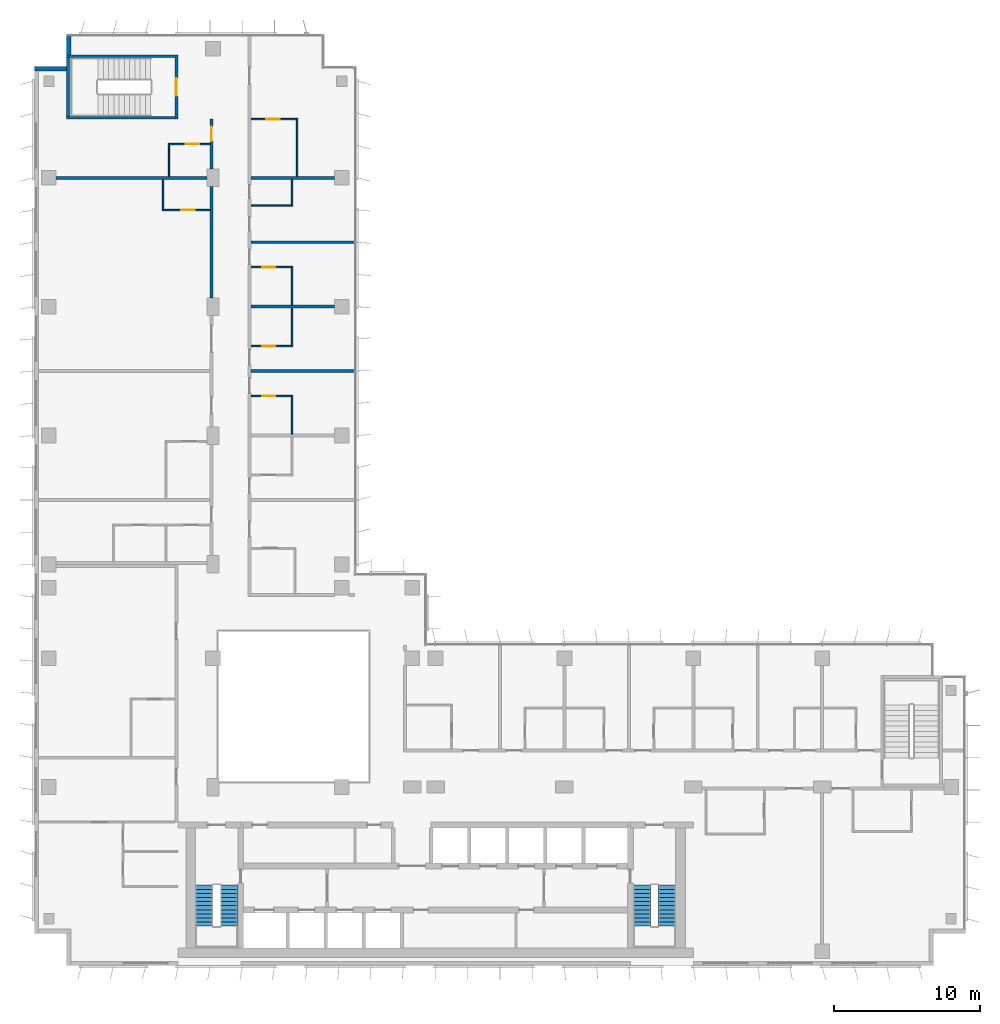
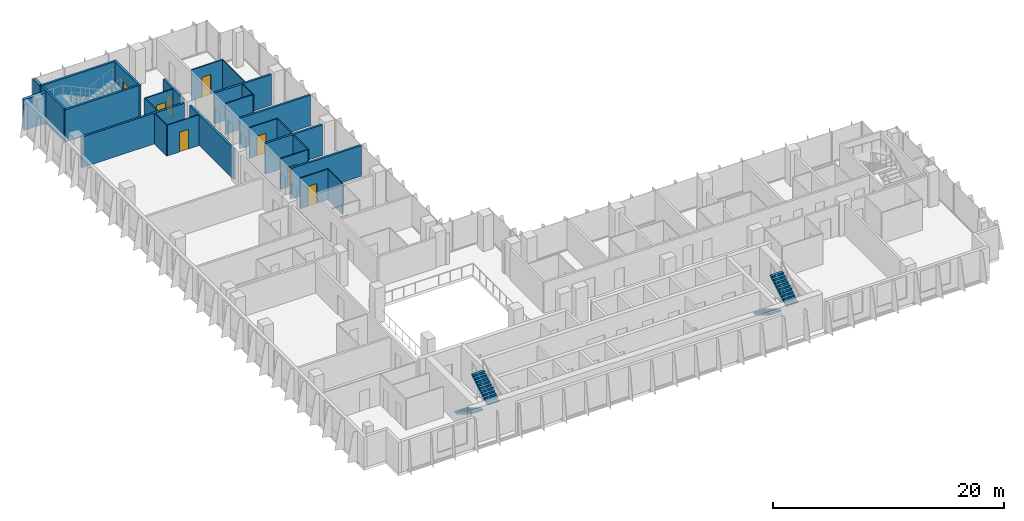
# One storey, part 17 of 21: 27 walls, 8 doors, 4 stair flights, 8 openings, 2 elements without a shape of their own.
"""IFC4 building model written with IfcOpenShell, lengths in metres."""

from ifc_helpers import new_model, si_unit, direction, frame, frame_2d, origin, place, context, subcontext, project, spatial, polyline, rectangle, outline, extrude, material, layer, layer_set, type_object, element, fill, aggregate, save


model = new_model("IFC4")

# Units and contexts
model_context = context("Model", 3, precision=1e-05, world=origin(), true_north=direction((0.0, 1.0)))
body_context = subcontext(model_context, "Body", "Model", "MODEL_VIEW")
ifc_project = project(units=[si_unit("LENGTHUNIT", "METRE"), si_unit("AREAUNIT", "SQUARE_METRE"), si_unit("VOLUMEUNIT", "CUBIC_METRE"), si_unit("PLANEANGLEUNIT", "RADIAN"), si_unit("MASSUNIT", "GRAM", prefix="KILO")], contexts=[model_context])

# Site, building, storey
site_placement = place(None, origin())
site = spatial("IfcSite", under=ifc_project, at=site_placement, CompositionType="ELEMENT")
building_placement = place(site_placement, origin())
building = spatial("IfcBuilding", under=site, at=building_placement, Name="Kemantara Hotel Tower", CompositionType="ELEMENT")
storey_placement = place(building_placement, frame((0.0, 0.0, 219.10009765625)))
storey = spatial("IfcBuildingStorey", under=building, at=storey_placement, Name="L54", CompositionType="ELEMENT", Elevation=219.10009765625)

# Walls
ifc_material_1 = material(Name="Bronze anodised aluminium cladding on insulated steel stud wall", Category="steel")
ifc_layer_1 = layer(ifc_material_1, 0.300048828125)
ifc_layer_set_1 = layer_set([ifc_layer_1], Name="Bronze anodised aluminium cladding on insulated steel stud wall")
wall_type_1 = type_object("IfcWallType", Name="BRONZE METAL-CLAD EXTERNAL WALL 300", PredefinedType="STANDARD", material=ifc_layer_set_1)
wall_1_placement = place(storey_placement, frame((2.35009765625, 63.449951171875, 0.0), z_axis=(0.0, 0.0, 1.0), x_axis=(0.0, -1.0, 0.0)))
element("IfcWall", 1, at=wall_1_placement, inside=storey, type_object=wall_type_1, Name="EXTERNAL WALL L54 T3-R03", PredefinedType="STANDARD", context=body_context, shape_type="SweptSolid", body=[
    extrude(rectangle(XDim=1.25, YDim=0.300048828125, at=frame_2d((0.625, 0.0))), origin(), (0.0, 0.0, 1.0), 3.25),
])
wall_2_placement = place(storey_placement, frame((2.199951171875, 61.25, 0.0), z_axis=(0.0, 0.0, 1.0), x_axis=(-1.0, 0.0, 0.0)))
element("IfcWall", 2, at=wall_2_placement, inside=storey, type_object=wall_type_1, Name="EXTERNAL WALL L54 T3-R04", PredefinedType="STANDARD", context=body_context, shape_type="SweptSolid", body=[
    extrude(rectangle(XDim=2.199951171875, YDim=0.300048828125, at=frame_2d((1.10009765625, 0.0))), origin(), (0.0, 0.0, 1.0), 3.25),
])
ifc_material_2 = material(Name="Gypsum board partition, steel studs and mineral wool, 200 mm", Category="steel")
ifc_layer_2 = layer(ifc_material_2, 0.199951171875)
ifc_layer_set_2 = layer_set([ifc_layer_2], Name="Gypsum board partition, steel studs and mineral wool, 200 mm")
wall_type_2 = type_object("IfcWallType", Name="CORRIDOR WALL 200", PredefinedType="PARTITIONING", material=ifc_layer_set_2)
wall_3_placement = place(storey_placement, frame((12.10009765625, 45.60009765625, 0.0), z_axis=(0.0, 0.0, 1.0), x_axis=(0.0, 1.0, 0.0)))
element("IfcWall", 3, at=wall_3_placement, inside=storey, type_object=wall_type_2, Name="CORRIDOR WALL 200 019", PredefinedType="PARTITIONING", context=body_context, shape_type="SweptSolid", body=[
    extrude(rectangle(XDim=7.599853515625, YDim=0.199951171875, at=frame_2d((3.7998046875, 0.0))), origin(), (0.0, 0.0, 1.0), 3.25),
])

# Wall, opening, door
wall_4_placement = place(storey_placement, frame((12.10009765625, 54.400146484375, 0.0), z_axis=(0.0, 0.0, 1.0), x_axis=(0.0, 1.0, 0.0)))
wall_4 = element("IfcWall", 4, at=wall_4_placement, inside=storey, type_object=wall_type_2, Name="CORRIDOR WALL 200 020", PredefinedType="PARTITIONING", context=body_context, shape_type="SweptSolid", body=[
    extrude(rectangle(XDim=3.39990234375, YDim=0.199951171875, at=frame_2d((1.699951171875, 0.0))), origin(), (0.0, 0.0, 1.0), 3.25),
])
opening_1_placement = place(wall_4_placement, frame((1.89990234375, 0.0, 0.0)))
opening_1 = element("IfcOpeningElement", 5, at=opening_1_placement, cuts=wall_4, Name="Opening F26-032", PredefinedType="OPENING", context=body_context, shape_type="SweptSolid", body=[
    extrude(rectangle(XDim=1.0, YDim=2.10009765625, at=frame_2d((0.5, 1.050048828125))), frame((0.0, 0.10986328125, 0.0), z_axis=(0.0, -1.0, 0.0), x_axis=(1.0, 0.0, 0.0)), (0.0, 0.0, 1.0), 0.219970703125),
])
ifc_material_3 = material(Name="Hardwood veneer door leaf with steel frame", Category="steel")
door_type_1 = type_object("IfcDoorType", Name="GUEST ROOM DOOR 1000 X 2100 FD30S", OperationType="NOTDEFINED", PredefinedType="DOOR", material=ifc_material_3)
door_1_placement = place(opening_1_placement, origin())
door_1 = element("IfcDoor", 6, at=door_1_placement, inside=storey, type_object=door_type_1, Name="GUEST ROOM DOOR F26-032", OperationType="SINGLE_SWING_RIGHT", OverallHeight=2.10009765625, OverallWidth=1.0, PredefinedType="DOOR", context=body_context, shape_type="SweptSolid", body=[
    extrude(rectangle(XDim=1.0, YDim=2.10009765625, at=frame_2d((0.5, 1.050048828125))), frame((0.0, 0.02490234375, 0.0), z_axis=(0.0, -1.0, 0.0), x_axis=(1.0, 0.0, 0.0)), (0.0, 0.0, 1.0), 0.050048828125),
])
fill(opening_1, door_1)

ifc_material_4 = material(Name="Concrete fc 40 MPa", Category="concrete")
ifc_layer_3 = layer(ifc_material_4, 0.199951171875)
ifc_layer_set_3 = layer_set([ifc_layer_3], Name="Concrete fc 40 MPa")
wall_type_3 = type_object("IfcWallType", Name="Concrete stair wall 200 mm", PredefinedType="SHEAR", material=ifc_layer_set_3)
wall_5_placement = place(storey_placement, frame((9.699951171875, 57.800048828125, 0.0), z_axis=(0.0, 0.0, 1.0), x_axis=(0.0, 1.0, 0.0)))
wall_5 = element("IfcWall", 7, at=wall_5_placement, inside=storey, type_object=wall_type_3, Name="Stair ST4 enclosure wall with door", PredefinedType="SHEAR", context=body_context, shape_type="SweptSolid", body=[
    extrude(rectangle(XDim=4.39990234375, YDim=0.199951171875, at=frame_2d((2.199951171875, 0.0))), origin(), (0.0, 0.0, 1.0), 3.39990234375),
])
opening_2_placement = place(wall_5_placement, frame((1.60009765625, 0.0, 0.0)))
opening_2 = element("IfcOpeningElement", 8, at=opening_2_placement, cuts=wall_5, Name="Opening ST4-C", PredefinedType="OPENING", context=body_context, shape_type="SweptSolid", body=[
    extrude(rectangle(XDim=1.199951171875, YDim=2.10009765625, at=frame_2d((0.60009765625, 1.050048828125))), frame((0.0, 0.10986328125, 0.0), z_axis=(0.0, -1.0, 0.0), x_axis=(1.0, 0.0, 0.0)), (0.0, 0.0, 1.0), 0.219970703125),
])
ifc_material_5 = material(Name="Steel fire door", Category="steel")
door_type_2 = type_object("IfcDoorType", Name="Fire door FD90 1200 x 2100", OperationType="NOTDEFINED", PredefinedType="DOOR", material=ifc_material_5)
door_2_placement = place(opening_2_placement, origin())
door_2 = element("IfcDoor", 9, at=door_2_placement, inside=storey, type_object=door_type_2, Name="Stair ST4 door", OperationType="SINGLE_SWING_RIGHT", OverallHeight=2.10009765625, OverallWidth=1.199951171875, PredefinedType="DOOR", context=body_context, shape_type="SweptSolid", body=[
    extrude(rectangle(XDim=1.199951171875, YDim=2.10009765625, at=frame_2d((0.60009765625, 1.050048828125))), frame((0.0, 0.02490234375, 0.0), z_axis=(0.0, -1.0, 0.0), x_axis=(1.0, 0.0, 0.0)), (0.0, 0.0, 1.0), 0.050048828125),
])
fill(opening_2, door_2)

# Walls
for number, where, z_axis, x_axis, name in (
    (10, (2.199951171875, 62.10009765625, 0.0), (0.0, 0.0, 1.0), (1.0, 0.0, 0.0), "Stair ST4 enclosure wall N"),
    (11, (2.199951171875, 57.89990234375, 0.0), (0.0, 0.0, 1.0), (1.0, 0.0, 0.0), "Stair ST4 enclosure wall S"),
):
    element("IfcWall", number, at=place(storey_placement, frame(where, z_axis=z_axis, x_axis=x_axis)), inside=storey, type_object=wall_type_3, Name=name, PredefinedType="SHEAR", context=body_context, shape_type="SweptSolid", body=[
        extrude(rectangle(XDim=7.400146484375, YDim=0.199951171875, at=frame_2d((3.7001953125, 0.0))), origin(), (0.0, 0.0, 1.0), 3.39990234375),
    ])
wall_6_placement = place(storey_placement, frame((2.300048828125, 58.0, 0.0), z_axis=(0.0, 0.0, 1.0), x_axis=(0.0, 1.0, 0.0)))
element("IfcWall", 12, at=wall_6_placement, inside=storey, type_object=wall_type_3, Name="Stair ST4 enclosure wall W", PredefinedType="SHEAR", context=body_context, shape_type="SweptSolid", body=[
    extrude(rectangle(XDim=4.0, YDim=0.199951171875, at=frame_2d((2.0, 0.0))), origin(), (0.0, 0.0, 1.0), 3.39990234375),
])
ifc_layer_4 = layer(ifc_material_2, 0.199951171875)
ifc_layer_set_4 = layer_set([ifc_layer_4], Name="Gypsum board partition, steel studs and mineral wool, 200 mm")
wall_type_4 = type_object("IfcWallType", Name="GUEST ROOM PARTY WALL 200", PredefinedType="PARTITIONING", material=ifc_layer_set_4)
wall_7_placement = place(storey_placement, frame((14.800048828125, 40.60009765625, 0.0), z_axis=(0.0, 0.0, 1.0), x_axis=(1.0, 0.0, 0.0)))
element("IfcWall", 13, at=wall_7_placement, inside=storey, type_object=wall_type_4, Name="GUEST ROOM PARTY WALL 200 025", PredefinedType="PARTITIONING", context=body_context, shape_type="SweptSolid", body=[
    extrude(rectangle(XDim=7.070068359375, YDim=0.199951171875, at=frame_2d((3.53515625, 0.0))), origin(), (0.0, 0.0, 1.0), 3.25),
])
wall_8_placement = place(storey_placement, frame((1.5, 53.800048828125, 0.0), z_axis=(0.0, 0.0, 1.0), x_axis=(1.0, 0.0, 0.0)))
element("IfcWall", 14, at=wall_8_placement, inside=storey, type_object=wall_type_4, Name="GUEST ROOM PARTY WALL 200 026", PredefinedType="PARTITIONING", context=body_context, shape_type="SweptSolid", body=[
    extrude(rectangle(XDim=10.2998046875, YDim=0.199951171875, at=frame_2d((5.14990234375, 0.0))), origin(), (0.0, 0.0, 1.0), 3.25),
])
for number, where, z_axis, x_axis, name in (
    (15, (14.800048828125, 53.800048828125, 0.0), (0.0, 0.0, 1.0), (1.0, 0.0, 0.0), "GUEST ROOM PARTY WALL 200 027"),
    (16, (14.800048828125, 45.0, 0.0), (0.0, 0.0, 1.0), (1.0, 0.0, 0.0), "GUEST ROOM PARTY WALL 200 032"),
):
    element("IfcWall", number, at=place(storey_placement, frame(where, z_axis=z_axis, x_axis=x_axis)), inside=storey, type_object=wall_type_4, Name=name, PredefinedType="PARTITIONING", context=body_context, shape_type="SweptSolid", body=[
        extrude(rectangle(XDim=5.699951171875, YDim=0.199951171875, at=frame_2d((2.85009765625, 0.0))), origin(), (0.0, 0.0, 1.0), 3.25),
    ])
wall_9_placement = place(storey_placement, frame((14.800048828125, 49.39990234375, 0.0), z_axis=(0.0, 0.0, 1.0), x_axis=(1.0, 0.0, 0.0)))
element("IfcWall", 17, at=wall_9_placement, inside=storey, type_object=wall_type_4, Name="GUEST ROOM PARTY WALL 200 033", PredefinedType="PARTITIONING", context=body_context, shape_type="SweptSolid", body=[
    extrude(rectangle(XDim=7.070068359375, YDim=0.199951171875, at=frame_2d((3.53515625, 0.0))), origin(), (0.0, 0.0, 1.0), 3.25),
])
ifc_material_6 = material(Name="Gypsum board partition on steel studs, 100 mm", Category="steel")
ifc_layer_5 = layer(ifc_material_6, 0.10009765625)
ifc_layer_set_5 = layer_set([ifc_layer_5], Name="Gypsum board partition on steel studs, 100 mm")
wall_type_5 = type_object("IfcWallType", Name="ROOM PARTITION 100", PredefinedType="PARTITIONING", material=ifc_layer_set_5)
wall_10_placement = place(storey_placement, frame((8.800048828125, 51.550048828125, 0.0), z_axis=(0.0, 0.0, 1.0), x_axis=(0.0, 1.0, 0.0)))
element("IfcWall", 18, at=wall_10_placement, inside=storey, type_object=wall_type_5, Name="ROOM PARTITION 100 065", PredefinedType="PARTITIONING", context=body_context, shape_type="SweptSolid", body=[
    extrude(rectangle(XDim=2.14990234375, YDim=0.10009765625, at=frame_2d((1.074951171875, 0.0))), origin(), (0.0, 0.0, 1.0), 3.25),
])

# Wall, opening, door
wall_11_placement = place(storey_placement, frame((8.85009765625, 51.60009765625, 0.0), z_axis=(0.0, 0.0, 1.0), x_axis=(1.0, 0.0, 0.0)))
wall_11 = element("IfcWall", 19, at=wall_11_placement, inside=storey, type_object=wall_type_5, Name="ROOM PARTITION 100 066", PredefinedType="PARTITIONING", context=body_context, shape_type="SweptSolid", body=[
    extrude(rectangle(XDim=3.14990234375, YDim=0.10009765625, at=frame_2d((1.574951171875, 0.0))), origin(), (0.0, 0.0, 1.0), 3.25),
])
opening_3_placement = place(wall_11_placement, frame((1.199951171875, 0.0, 0.0)))
opening_3 = element("IfcOpeningElement", 20, at=opening_3_placement, cuts=wall_11, Name="Opening F26-031", PredefinedType="OPENING", context=body_context, shape_type="SweptSolid", body=[
    extrude(rectangle(XDim=0.89990234375, YDim=2.10009765625, at=frame_2d((0.449951171875, 1.050048828125))), frame((0.0, 0.06005859375, 0.0), z_axis=(0.0, -1.0, 0.0), x_axis=(1.0, 0.0, 0.0)), (0.0, 0.0, 1.0), 0.1201171875),
])
door_type_3 = type_object("IfcDoorType", Name="PANTRY DOOR 900 X 2100", OperationType="NOTDEFINED", PredefinedType="DOOR", material=ifc_material_3)
door_3_placement = place(opening_3_placement, origin())
door_3 = element("IfcDoor", 21, at=door_3_placement, inside=storey, type_object=door_type_3, Name="PANTRY DOOR F26-031", OperationType="SINGLE_SWING_RIGHT", OverallHeight=2.10009765625, OverallWidth=0.89990234375, PredefinedType="DOOR", context=body_context, shape_type="SweptSolid", body=[
    extrude(rectangle(XDim=0.89990234375, YDim=2.10009765625, at=frame_2d((0.449951171875, 1.050048828125))), frame((0.0, 0.02490234375, 0.0), z_axis=(0.0, -1.0, 0.0), x_axis=(1.0, 0.0, 0.0)), (0.0, 0.0, 1.0), 0.050048828125),
])
fill(opening_3, door_3)

# Wall
wall_12_placement = place(storey_placement, frame((9.199951171875, 53.89990234375, 0.0), z_axis=(0.0, 0.0, 1.0), x_axis=(0.0, 1.0, 0.0)))
element("IfcWall", 22, at=wall_12_placement, inside=storey, type_object=wall_type_5, Name="ROOM PARTITION 100 067", PredefinedType="PARTITIONING", context=body_context, shape_type="SweptSolid", body=[
    extrude(rectangle(XDim=2.25, YDim=0.10009765625, at=frame_2d((1.125, 0.0))), origin(), (0.0, 0.0, 1.0), 3.25),
])

# Wall, opening, door
wall_13_placement = place(storey_placement, frame((12.0, 56.10009765625, 0.0), z_axis=(0.0, 0.0, 1.0), x_axis=(-1.0, 0.0, 0.0)))
wall_13 = element("IfcWall", 23, at=wall_13_placement, inside=storey, type_object=wall_type_5, Name="ROOM PARTITION 100 068", PredefinedType="PARTITIONING", context=body_context, shape_type="SweptSolid", body=[
    extrude(rectangle(XDim=2.75, YDim=0.10009765625, at=frame_2d((1.375, 0.0))), origin(), (0.0, 0.0, 1.0), 3.25),
])
opening_4_placement = place(wall_13_placement, frame((0.75, 0.0, 0.0)))
opening_4 = element("IfcOpeningElement", 24, at=opening_4_placement, cuts=wall_13, Name="Opening F26-033", PredefinedType="OPENING", context=body_context, shape_type="SweptSolid", body=[
    extrude(rectangle(XDim=0.89990234375, YDim=2.10009765625, at=frame_2d((0.449951171875, 1.050048828125))), frame((0.0, 0.06005859375, 0.0), z_axis=(0.0, -1.0, 0.0), x_axis=(1.0, 0.0, 0.0)), (0.0, 0.0, 1.0), 0.1201171875),
])
door_type_4 = type_object("IfcDoorType", Name="BATHROOM DOOR 900 X 2100", OperationType="NOTDEFINED", PredefinedType="DOOR", material=ifc_material_3)
door_4_placement = place(opening_4_placement, origin())
door_4 = element("IfcDoor", 25, at=door_4_placement, inside=storey, type_object=door_type_4, Name="BATHROOM DOOR F26-033", OperationType="SINGLE_SWING_LEFT", OverallHeight=2.10009765625, OverallWidth=0.89990234375, PredefinedType="DOOR", context=body_context, shape_type="SweptSolid", body=[
    extrude(rectangle(XDim=0.89990234375, YDim=2.10009765625, at=frame_2d((0.449951171875, 1.050048828125))), frame((0.0, 0.02490234375, 0.0), z_axis=(0.0, -1.0, 0.0), x_axis=(1.0, 0.0, 0.0)), (0.0, 0.0, 1.0), 0.050048828125),
])
fill(opening_4, door_4)

# Walls
for number, where, z_axis, x_axis, name in (
    (26, (17.60009765625, 36.300048828125, 0.0), (0.0, 0.0, 1.0), (0.0, 1.0, 0.0), "ROOM PARTITION 100 072"),
    (27, (17.60009765625, 42.25, 0.0), (0.0, 0.0, 1.0), (0.0, 1.0, 0.0), "ROOM PARTITION 100 073"),
    (28, (17.60009765625, 45.10009765625, 0.0), (0.0, 0.0, 1.0), (0.0, 1.0, 0.0), "ROOM PARTITION 100 074"),
):
    element("IfcWall", number, at=place(storey_placement, frame(where, z_axis=z_axis, x_axis=x_axis)), inside=storey, type_object=wall_type_5, Name=name, PredefinedType="PARTITIONING", context=body_context, shape_type="SweptSolid", body=[
        extrude(rectangle(XDim=2.64990234375, YDim=0.10009765625, at=frame_2d((1.324951171875, 0.0))), origin(), (0.0, 0.0, 1.0), 3.25),
    ])
wall_14_placement = place(storey_placement, frame((17.60009765625, 51.85009765625, 0.0), z_axis=(0.0, 0.0, 1.0), x_axis=(0.0, 1.0, 0.0)))
element("IfcWall", 29, at=wall_14_placement, inside=storey, type_object=wall_type_5, Name="ROOM PARTITION 100 075", PredefinedType="PARTITIONING", context=body_context, shape_type="SweptSolid", body=[
    extrude(rectangle(XDim=1.849853515625, YDim=0.10009765625, at=frame_2d((0.9248046875, 0.0))), origin(), (0.0, 0.0, 1.0), 3.25),
])

# Wall, opening, door
wall_15_placement = place(storey_placement, frame((17.550048828125, 38.89990234375, 0.0), z_axis=(0.0, 0.0, 1.0), x_axis=(-1.0, 0.0, 0.0)))
wall_15 = element("IfcWall", 30, at=wall_15_placement, inside=storey, type_object=wall_type_5, Name="ROOM PARTITION 100 077", PredefinedType="PARTITIONING", context=body_context, shape_type="SweptSolid", body=[
    extrude(rectangle(XDim=2.75, YDim=0.10009765625, at=frame_2d((1.375, 0.0))), origin(), (0.0, 0.0, 1.0), 3.25),
])
opening_5_placement = place(wall_15_placement, frame((1.10009765625, 0.0, 0.0)))
opening_5 = element("IfcOpeningElement", 31, at=opening_5_placement, cuts=wall_15, Name="Opening F26-039", PredefinedType="OPENING", context=body_context, shape_type="SweptSolid", body=[
    extrude(rectangle(XDim=0.89990234375, YDim=2.10009765625, at=frame_2d((0.449951171875, 1.050048828125))), frame((0.0, 0.06005859375, 0.0), z_axis=(0.0, -1.0, 0.0), x_axis=(1.0, 0.0, 0.0)), (0.0, 0.0, 1.0), 0.1201171875),
])
door_5_placement = place(opening_5_placement, origin())
door_5 = element("IfcDoor", 32, at=door_5_placement, inside=storey, type_object=door_type_4, Name="BATHROOM DOOR F26-039", OperationType="SINGLE_SWING_RIGHT", OverallHeight=2.10009765625, OverallWidth=0.89990234375, PredefinedType="DOOR", context=body_context, shape_type="SweptSolid", body=[
    extrude(rectangle(XDim=0.89990234375, YDim=2.10009765625, at=frame_2d((0.449951171875, 1.050048828125))), frame((0.0, 0.02490234375, 0.0), z_axis=(0.0, -1.0, 0.0), x_axis=(1.0, 0.0, 0.0)), (0.0, 0.0, 1.0), 0.050048828125),
])
fill(opening_5, door_5)

wall_16_placement = place(storey_placement, frame((14.800048828125, 42.300048828125, 0.0), z_axis=(0.0, 0.0, 1.0), x_axis=(1.0, 0.0, 0.0)))
wall_16 = element("IfcWall", 33, at=wall_16_placement, inside=storey, type_object=wall_type_5, Name="ROOM PARTITION 100 078", PredefinedType="PARTITIONING", context=body_context, shape_type="SweptSolid", body=[
    extrude(rectangle(XDim=2.75, YDim=0.10009765625, at=frame_2d((1.375, 0.0))), origin(), (0.0, 0.0, 1.0), 3.25),
])
opening_6_placement = place(wall_16_placement, frame((0.75, 0.0, 0.0)))
opening_6 = element("IfcOpeningElement", 34, at=opening_6_placement, cuts=wall_16, Name="Opening F26-041", PredefinedType="OPENING", context=body_context, shape_type="SweptSolid", body=[
    extrude(rectangle(XDim=0.89990234375, YDim=2.10009765625, at=frame_2d((0.449951171875, 1.050048828125))), frame((0.0, 0.06005859375, 0.0), z_axis=(0.0, -1.0, 0.0), x_axis=(1.0, 0.0, 0.0)), (0.0, 0.0, 1.0), 0.1201171875),
])
door_6_placement = place(opening_6_placement, origin())
door_6 = element("IfcDoor", 35, at=door_6_placement, inside=storey, type_object=door_type_4, Name="BATHROOM DOOR F26-041", OperationType="SINGLE_SWING_LEFT", OverallHeight=2.10009765625, OverallWidth=0.89990234375, PredefinedType="DOOR", context=body_context, shape_type="SweptSolid", body=[
    extrude(rectangle(XDim=0.89990234375, YDim=2.10009765625, at=frame_2d((0.449951171875, 1.050048828125))), frame((0.0, 0.02490234375, 0.0), z_axis=(0.0, -1.0, 0.0), x_axis=(1.0, 0.0, 0.0)), (0.0, 0.0, 1.0), 0.050048828125),
])
fill(opening_6, door_6)

wall_17_placement = place(storey_placement, frame((17.550048828125, 47.699951171875, 0.0), z_axis=(0.0, 0.0, 1.0), x_axis=(-1.0, 0.0, 0.0)))
wall_17 = element("IfcWall", 36, at=wall_17_placement, inside=storey, type_object=wall_type_5, Name="ROOM PARTITION 100 079", PredefinedType="PARTITIONING", context=body_context, shape_type="SweptSolid", body=[
    extrude(rectangle(XDim=2.75, YDim=0.10009765625, at=frame_2d((1.375, 0.0))), origin(), (0.0, 0.0, 1.0), 3.25),
])
opening_7_placement = place(wall_17_placement, frame((1.10009765625, 0.0, 0.0)))
opening_7 = element("IfcOpeningElement", 37, at=opening_7_placement, cuts=wall_17, Name="Opening F26-043", PredefinedType="OPENING", context=body_context, shape_type="SweptSolid", body=[
    extrude(rectangle(XDim=0.89990234375, YDim=2.10009765625, at=frame_2d((0.449951171875, 1.050048828125))), frame((0.0, 0.06005859375, 0.0), z_axis=(0.0, -1.0, 0.0), x_axis=(1.0, 0.0, 0.0)), (0.0, 0.0, 1.0), 0.1201171875),
])
door_7_placement = place(opening_7_placement, origin())
door_7 = element("IfcDoor", 38, at=door_7_placement, inside=storey, type_object=door_type_4, Name="BATHROOM DOOR F26-043", OperationType="SINGLE_SWING_RIGHT", OverallHeight=2.10009765625, OverallWidth=0.89990234375, PredefinedType="DOOR", context=body_context, shape_type="SweptSolid", body=[
    extrude(rectangle(XDim=0.89990234375, YDim=2.10009765625, at=frame_2d((0.449951171875, 1.050048828125))), frame((0.0, 0.02490234375, 0.0), z_axis=(0.0, -1.0, 0.0), x_axis=(1.0, 0.0, 0.0)), (0.0, 0.0, 1.0), 0.050048828125),
])
fill(opening_7, door_7)

# Walls
wall_18_placement = place(storey_placement, frame((14.800048828125, 51.89990234375, 0.0), z_axis=(0.0, 0.0, 1.0), x_axis=(1.0, 0.0, 0.0)))
element("IfcWall", 39, at=wall_18_placement, inside=storey, type_object=wall_type_5, Name="ROOM PARTITION 100 080", PredefinedType="PARTITIONING", context=body_context, shape_type="SweptSolid", body=[
    extrude(rectangle(XDim=2.75, YDim=0.10009765625, at=frame_2d((1.375, 0.0))), origin(), (0.0, 0.0, 1.0), 3.25),
])
wall_19_placement = place(storey_placement, frame((17.949951171875, 53.89990234375, 0.0), z_axis=(0.0, 0.0, 1.0), x_axis=(0.0, 1.0, 0.0)))
element("IfcWall", 40, at=wall_19_placement, inside=storey, type_object=wall_type_5, Name="ROOM PARTITION 100 081", PredefinedType="PARTITIONING", context=body_context, shape_type="SweptSolid", body=[
    extrude(rectangle(XDim=3.9501953125, YDim=0.10009765625, at=frame_2d((1.97509765625, 0.0))), origin(), (0.0, 0.0, 1.0), 3.25),
])

# Wall, opening, door
wall_20_placement = place(storey_placement, frame((17.89990234375, 57.800048828125, 0.0), z_axis=(0.0, 0.0, 1.0), x_axis=(-1.0, 0.0, 0.0)))
wall_20 = element("IfcWall", 41, at=wall_20_placement, inside=storey, type_object=wall_type_5, Name="ROOM PARTITION 100 082", PredefinedType="PARTITIONING", context=body_context, shape_type="SweptSolid", body=[
    extrude(rectangle(XDim=3.099853515625, YDim=0.10009765625, at=frame_2d((1.5498046875, 0.0))), origin(), (0.0, 0.0, 1.0), 3.25),
])
opening_8_placement = place(wall_20_placement, frame((1.14990234375, 0.0, 0.0)))
opening_8 = element("IfcOpeningElement", 42, at=opening_8_placement, cuts=wall_20, Name="Opening F26-047", PredefinedType="OPENING", context=body_context, shape_type="SweptSolid", body=[
    extrude(rectangle(XDim=0.89990234375, YDim=2.10009765625, at=frame_2d((0.449951171875, 1.050048828125))), frame((0.0, 0.06005859375, 0.0), z_axis=(0.0, -1.0, 0.0), x_axis=(1.0, 0.0, 0.0)), (0.0, 0.0, 1.0), 0.1201171875),
])
door_8_placement = place(opening_8_placement, origin())
door_8 = element("IfcDoor", 43, at=door_8_placement, inside=storey, type_object=door_type_4, Name="BATHROOM DOOR F26-047", OperationType="SINGLE_SWING_RIGHT", OverallHeight=2.10009765625, OverallWidth=0.89990234375, PredefinedType="DOOR", context=body_context, shape_type="SweptSolid", body=[
    extrude(rectangle(XDim=0.89990234375, YDim=2.10009765625, at=frame_2d((0.449951171875, 1.050048828125))), frame((0.0, 0.02490234375, 0.0), z_axis=(0.0, -1.0, 0.0), x_axis=(1.0, 0.0, 0.0)), (0.0, 0.0, 1.0), 0.050048828125),
])
fill(opening_8, door_8)

# Stair, stair flights
stair_type = type_object("IfcStairType", Name="Stair 1200 wide 22 risers of 168 x 280 mm", PredefinedType="HALF_TURN_STAIR", material=ifc_material_4)
stair_1_placement = place(storey_placement, origin())
stair_1 = element("IfcStair", 44, at=stair_1_placement, inside=storey, type_object=stair_type, Name="L54 Exit stair ST1", PredefinedType="HALF_TURN_STAIR")
stair_flight_type = type_object("IfcStairFlightType", Name="Stair flight 1200 wide 168 x 280 mm", PredefinedType="STRAIGHT", material=ifc_material_4)
stair_flight_1_placement = place(storey_placement, frame((11.60009765625, 5.5, 0.0), z_axis=(0.0, 0.0, 1.0), x_axis=(0.0, -1.0, 0.0)))
stair_flight_1 = element("IfcStairFlight", 45, at=stair_flight_1_placement, type_object=stair_flight_type, Name="ST1 flight 1", NumberOfRisers=11, NumberOfTreads=10, PredefinedType="STRAIGHT", RiserHeight=0.168181818, TreadLength=0.28, context=body_context, shape_type="SweptSolid", body=[
    extrude(outline(polyline([(0.0, 0.0), (0.0, 0.168212890625), (0.280029296875, 0.168212890625), (0.280029296875, 0.33642578125), (0.56005859375, 0.33642578125), (0.56005859375, 0.504638671875), (0.840087890625, 0.504638671875), (0.840087890625, 0.672607421875), (1.1201171875, 0.672607421875), (1.1201171875, 0.8408203125), (1.39990234375, 0.8408203125), (1.39990234375, 1.009033203125), (1.679931640625, 1.009033203125), (1.679931640625, 1.17724609375), (1.9599609375, 1.17724609375), (1.9599609375, 1.345458984375), (2.239990234375, 1.345458984375), (2.239990234375, 1.513671875), (2.52001953125, 1.513671875), (2.52001953125, 1.681884765625), (2.800048828125, 1.681884765625), (2.800048828125, 1.85009765625), (2.800048828125, 1.5068359375), (0.291015625, 0.0), (0.0, 0.0)])), frame((0.0, 0.60009765625, 0.0), z_axis=(0.0, -1.0, 0.0), x_axis=(1.0, 0.0, 0.0)), (0.0, 0.0, 1.0), 1.199951171875),
])
stair_flight_2_placement = place(storey_placement, frame((13.300048828125, 2.699951171875, 1.849853515625), z_axis=(0.0, 0.0, 1.0), x_axis=(0.0, 1.0, 0.0)))
stair_flight_2 = element("IfcStairFlight", 46, at=stair_flight_2_placement, type_object=stair_flight_type, Name="ST1 flight 2", NumberOfRisers=11, NumberOfTreads=10, PredefinedType="STRAIGHT", RiserHeight=0.168181818, TreadLength=0.28, context=body_context, shape_type="SweptSolid", body=[
    extrude(outline(polyline([(0.0, 0.0), (0.0, 0.168212890625), (0.280029296875, 0.168212890625), (0.280029296875, 0.33642578125), (0.56005859375, 0.33642578125), (0.56005859375, 0.504638671875), (0.840087890625, 0.504638671875), (0.840087890625, 0.672607421875), (1.1201171875, 0.672607421875), (1.1201171875, 0.8408203125), (1.39990234375, 0.8408203125), (1.39990234375, 1.009033203125), (1.679931640625, 1.009033203125), (1.679931640625, 1.17724609375), (1.9599609375, 1.17724609375), (1.9599609375, 1.345458984375), (2.239990234375, 1.345458984375), (2.239990234375, 1.513671875), (2.52001953125, 1.513671875), (2.52001953125, 1.681884765625), (2.800048828125, 1.681884765625), (2.800048828125, 1.85009765625), (2.800048828125, 1.5068359375), (0.291015625, 0.0), (0.0, 0.0)])), frame((0.0, 0.60009765625, 0.0), z_axis=(0.0, -1.0, 0.0), x_axis=(1.0, 0.0, 0.0)), (0.0, 0.0, 1.0), 1.199951171875),
])
aggregate(stair_1, [stair_flight_1, stair_flight_2])

stair_2_placement = place(storey_placement, origin())
stair_2 = element("IfcStair", 47, at=stair_2_placement, inside=storey, type_object=stair_type, Name="L54 Exit stair ST2", PredefinedType="HALF_TURN_STAIR")
stair_flight_3_placement = place(storey_placement, frame((41.5, 5.5, 0.0), z_axis=(0.0, 0.0, 1.0), x_axis=(0.0, -1.0, 0.0)))
stair_flight_3 = element("IfcStairFlight", 48, at=stair_flight_3_placement, type_object=stair_flight_type, Name="ST2 flight 1", NumberOfRisers=11, NumberOfTreads=10, PredefinedType="STRAIGHT", RiserHeight=0.168181818, TreadLength=0.28, context=body_context, shape_type="SweptSolid", body=[
    extrude(outline(polyline([(0.0, 0.0), (0.0, 0.168212890625), (0.280029296875, 0.168212890625), (0.280029296875, 0.33642578125), (0.56005859375, 0.33642578125), (0.56005859375, 0.504638671875), (0.840087890625, 0.504638671875), (0.840087890625, 0.672607421875), (1.1201171875, 0.672607421875), (1.1201171875, 0.8408203125), (1.39990234375, 0.8408203125), (1.39990234375, 1.009033203125), (1.679931640625, 1.009033203125), (1.679931640625, 1.17724609375), (1.9599609375, 1.17724609375), (1.9599609375, 1.345458984375), (2.239990234375, 1.345458984375), (2.239990234375, 1.513671875), (2.52001953125, 1.513671875), (2.52001953125, 1.681884765625), (2.800048828125, 1.681884765625), (2.800048828125, 1.85009765625), (2.800048828125, 1.5068359375), (0.291015625, 0.0), (0.0, 0.0)])), frame((0.0, 0.60009765625, 0.0), z_axis=(0.0, -1.0, 0.0), x_axis=(1.0, 0.0, 0.0)), (0.0, 0.0, 1.0), 1.199951171875),
])
stair_flight_4_placement = place(storey_placement, frame((43.199951171875, 2.699951171875, 1.849853515625), z_axis=(0.0, 0.0, 1.0), x_axis=(0.0, 1.0, 0.0)))
stair_flight_4 = element("IfcStairFlight", 49, at=stair_flight_4_placement, type_object=stair_flight_type, Name="ST2 flight 2", NumberOfRisers=11, NumberOfTreads=10, PredefinedType="STRAIGHT", RiserHeight=0.168181818, TreadLength=0.28, context=body_context, shape_type="SweptSolid", body=[
    extrude(outline(polyline([(0.0, 0.0), (0.0, 0.168212890625), (0.280029296875, 0.168212890625), (0.280029296875, 0.33642578125), (0.56005859375, 0.33642578125), (0.56005859375, 0.504638671875), (0.840087890625, 0.504638671875), (0.840087890625, 0.672607421875), (1.1201171875, 0.672607421875), (1.1201171875, 0.8408203125), (1.39990234375, 0.8408203125), (1.39990234375, 1.009033203125), (1.679931640625, 1.009033203125), (1.679931640625, 1.17724609375), (1.9599609375, 1.17724609375), (1.9599609375, 1.345458984375), (2.239990234375, 1.345458984375), (2.239990234375, 1.513671875), (2.52001953125, 1.513671875), (2.52001953125, 1.681884765625), (2.800048828125, 1.681884765625), (2.800048828125, 1.85009765625), (2.800048828125, 1.5068359375), (0.291015625, 0.0), (0.0, 0.0)])), frame((0.0, 0.60009765625, 0.0), z_axis=(0.0, -1.0, 0.0), x_axis=(1.0, 0.0, 0.0)), (0.0, 0.0, 1.0), 1.199951171875),
])
aggregate(stair_2, [stair_flight_3, stair_flight_4])

save(model, "model.ifc")
